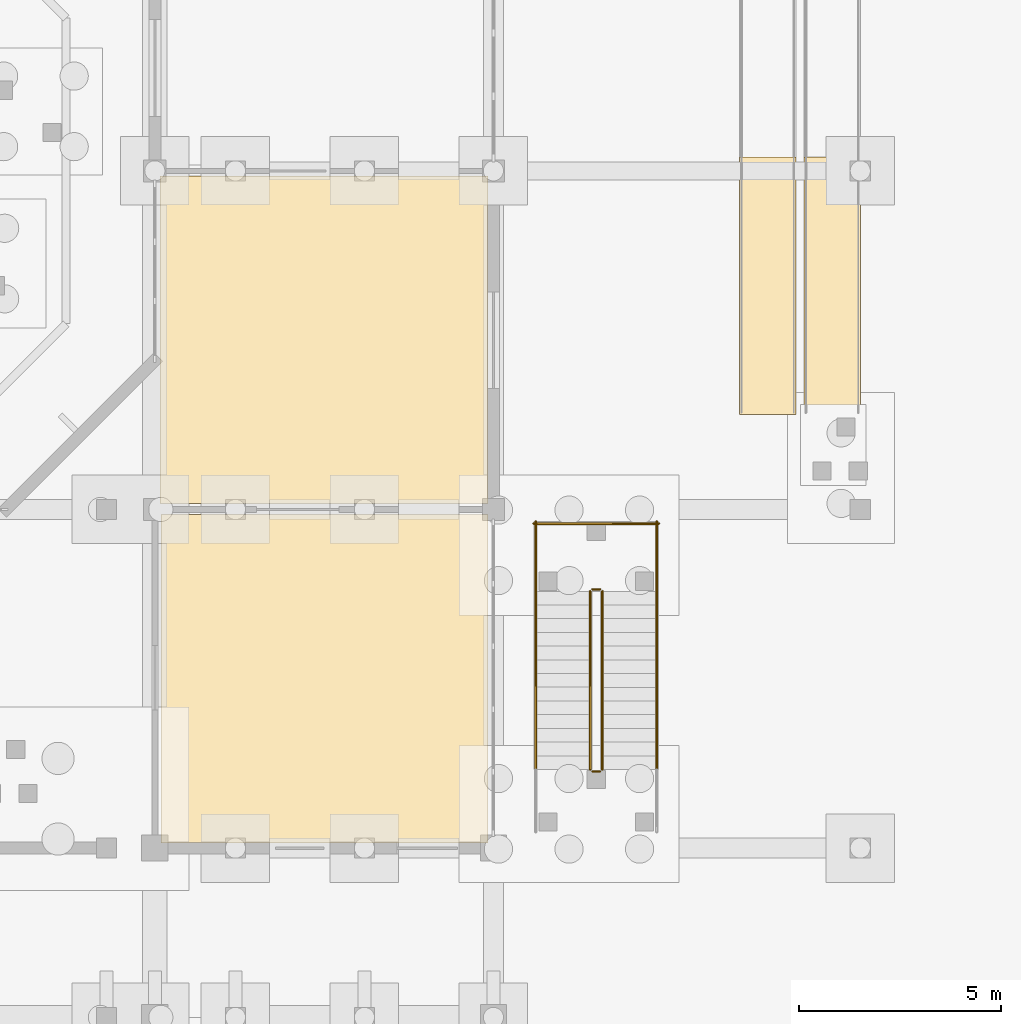
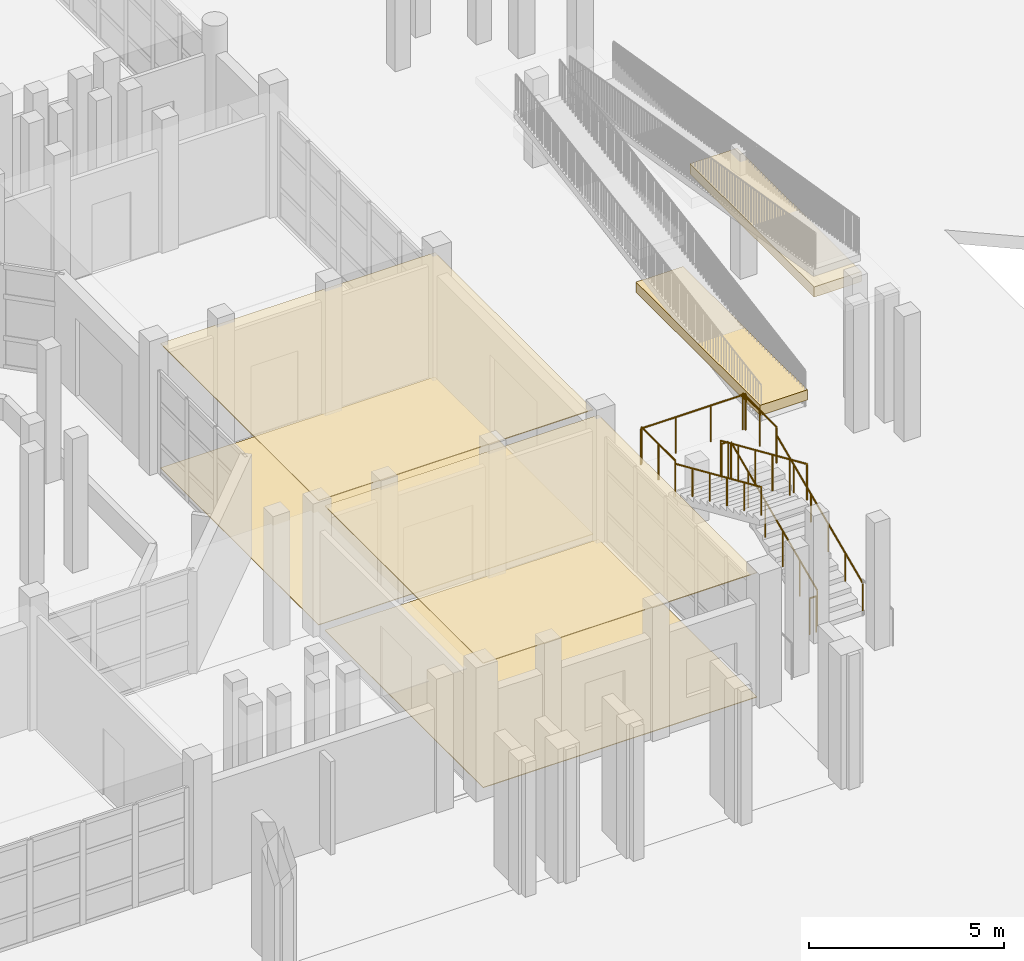
# One storey, part 74 of 88: 9 railings, 6 coverings.
"""IFC4 building model written with IfcOpenShell, lengths in metres."""

from ifc_helpers import new_model, si_unit, direction, frame, origin, origin_2d, place, context, subcontext, project, spatial, polyline, rectangle, circle, outline, extrude, material, layer, layer_set, type_object, element, save


model = new_model("IFC4")

# Units and contexts
model_context = context("Model", 3, precision=1e-05, world=origin(), true_north=direction((0.0, 1.0)))
body_context = subcontext(model_context, "Body", "Model", "MODEL_VIEW")
ifc_project = project(units=[si_unit("LENGTHUNIT", "METRE"), si_unit("AREAUNIT", "SQUARE_METRE"), si_unit("VOLUMEUNIT", "CUBIC_METRE"), si_unit("PLANEANGLEUNIT", "RADIAN"), si_unit("MASSUNIT", "GRAM", prefix="KILO")], contexts=[model_context])

# Site, building, storey
site_placement = place(None, origin())
site = spatial("IfcSite", under=ifc_project, at=site_placement, CompositionType="ELEMENT")
building_placement = place(site_placement, origin())
building = spatial("IfcBuilding", under=site, at=building_placement, Name="Vanh Quang Courtyard School", CompositionType="ELEMENT")
storey_placement = place(building_placement, origin())
storey = spatial("IfcBuildingStorey", under=building, at=storey_placement, Name="L00", CompositionType="ELEMENT", Elevation=0.0)

# Coverings
ifc_material_1 = material(Name="Perforated mineral-fibre acoustic ceiling board")
ifc_layer_1 = layer(ifc_material_1, 0.02490234375)
ifc_layer_set_1 = layer_set([ifc_layer_1], Name="Perforated mineral-fibre acoustic ceiling board")
covering_type_1 = type_object("IfcCoveringType", Name="COV-CEIL-ACOUSTIC", PredefinedType="CEILING", material=ifc_layer_set_1)
covering_1_placement = place(storey_placement, frame((0.0, 0.0, 3.89501953125)))
element("IfcCovering", 1, at=covering_1_placement, inside=storey, type_object=covering_type_1, Name="Covering CV-CL1 (L00)", PredefinedType="CEILING", context=body_context, shape_type="SweptSolid", body=[
    extrude(outline(polyline([(111.159912109375, 4.330078125), (111.158935546875, 4.330078125), (111.157958984375, 4.330078125), (111.156982421875, 4.330322265625), (111.15625, 4.330810546875), (111.1552734375, 4.331298828125), (111.154296875, 4.331787109375), (111.15380859375, 4.332275390625), (111.15283203125, 4.3330078125), (111.15234375, 4.333740234375), (111.151611328125, 4.33447265625), (111.151123046875, 4.335205078125), (111.15087890625, 4.336181640625), (111.150390625, 4.337158203125), (111.150146484375, 4.337890625), (111.14990234375, 4.339111328125), (111.14990234375, 4.340087890625), (111.14990234375, 12.4599609375), (111.14990234375, 12.4609375), (111.150146484375, 12.4619140625), (111.150390625, 12.462890625), (111.15087890625, 12.4638671875), (111.151123046875, 12.464599609375), (111.151611328125, 12.465576171875), (111.15234375, 12.46630859375), (111.15283203125, 12.467041015625), (111.15380859375, 12.4677734375), (111.154296875, 12.46826171875), (111.1552734375, 12.46875), (111.15625, 12.46923828125), (111.156982421875, 12.469482421875), (111.157958984375, 12.4697265625), (111.158935546875, 12.469970703125), (111.159912109375, 12.469970703125), (119.260009765625, 12.469970703125), (119.260986328125, 12.469970703125), (119.261962890625, 12.4697265625), (119.262939453125, 12.469482421875), (119.263916015625, 12.46923828125), (119.2646484375, 12.46875), (119.265625, 12.46826171875), (119.266357421875, 12.4677734375), (119.26708984375, 12.467041015625), (119.267578125, 12.46630859375), (119.268310546875, 12.465576171875), (119.268798828125, 12.464599609375), (119.269287109375, 12.4638671875), (119.26953125, 12.462890625), (119.269775390625, 12.4619140625), (119.27001953125, 12.4609375), (119.27001953125, 12.4599609375), (119.27001953125, 4.340087890625), (119.27001953125, 4.339111328125), (119.269775390625, 4.337890625), (119.26953125, 4.337158203125), (119.269287109375, 4.336181640625), (119.268798828125, 4.335205078125), (119.268310546875, 4.33447265625), (119.267578125, 4.333740234375), (119.26708984375, 4.3330078125), (119.266357421875, 4.332275390625), (119.265625, 4.331787109375), (119.2646484375, 4.331298828125), (119.263916015625, 4.330810546875), (119.262939453125, 4.330322265625), (119.261962890625, 4.330078125), (119.260986328125, 4.330078125), (119.260009765625, 4.330078125), (111.159912109375, 4.330078125)])), origin(), (0.0, 0.0, 1.0), 0.02490234375),
])
covering_2_placement = place(storey_placement, frame((0.0, 0.0, 3.89501953125)))
element("IfcCovering", 2, at=covering_2_placement, inside=storey, type_object=covering_type_1, Name="Covering CV-CL1 (L00)", PredefinedType="CEILING", context=body_context, shape_type="SweptSolid", body=[
    extrude(outline(polyline([(111.139892578125, 12.749267578125), (111.138916015625, 12.749267578125), (111.137939453125, 12.74951171875), (111.13720703125, 12.74951171875), (111.13623046875, 12.75), (111.13525390625, 12.75048828125), (111.134521484375, 12.7509765625), (111.1337890625, 12.75146484375), (111.1328125, 12.752197265625), (111.13232421875, 12.7529296875), (111.131591796875, 12.753662109375), (111.131103515625, 12.75439453125), (111.130859375, 12.75537109375), (111.13037109375, 12.75634765625), (111.130126953125, 12.757080078125), (111.1298828125, 12.75830078125), (111.1298828125, 12.75927734375), (111.1298828125, 20.860107421875), (111.1298828125, 20.861083984375), (111.130126953125, 20.862060546875), (111.13037109375, 20.86279296875), (111.130859375, 20.86376953125), (111.131103515625, 20.86474609375), (111.131591796875, 20.865478515625), (111.13232421875, 20.8662109375), (111.1328125, 20.8671875), (111.1337890625, 20.86767578125), (111.134521484375, 20.868408203125), (111.13525390625, 20.868896484375), (111.13623046875, 20.869140625), (111.13720703125, 20.86962890625), (111.137939453125, 20.869873046875), (111.138916015625, 20.8701171875), (111.139892578125, 20.8701171875), (119.260009765625, 20.8701171875), (119.260986328125, 20.8701171875), (119.261962890625, 20.869873046875), (119.262939453125, 20.86962890625), (119.263916015625, 20.869140625), (119.2646484375, 20.868896484375), (119.265625, 20.868408203125), (119.266357421875, 20.86767578125), (119.26708984375, 20.8671875), (119.267578125, 20.8662109375), (119.268310546875, 20.865478515625), (119.268798828125, 20.86474609375), (119.269287109375, 20.86376953125), (119.26953125, 20.86279296875), (119.269775390625, 20.862060546875), (119.27001953125, 20.861083984375), (119.27001953125, 20.860107421875), (119.27001953125, 12.760009765625), (119.27001953125, 12.759033203125), (119.269775390625, 12.758056640625), (119.26953125, 12.757080078125), (119.269287109375, 12.756103515625), (119.268798828125, 12.75537109375), (119.268310546875, 12.75439453125), (119.267578125, 12.753662109375), (119.26708984375, 12.7529296875), (119.266357421875, 12.752197265625), (119.265625, 12.751708984375), (119.2646484375, 12.751220703125), (119.263916015625, 12.750732421875), (119.262939453125, 12.75048828125), (119.261962890625, 12.750244140625), (119.260986328125, 12.75), (119.260009765625, 12.75), (111.139892578125, 12.749267578125)])), origin(), (0.0, 0.0, 1.0), 0.02490234375),
])
ifc_material_2 = material(Name="Polished cementitious terrazzo tile", Category="concrete")
ifc_layer_2 = layer(ifc_material_2, 0.02001953125)
ifc_layer_set_2 = layer_set([ifc_layer_2], Name="Polished cementitious terrazzo tile")
covering_type_2 = type_object("IfcCoveringType", Name="COV-FLR-TERRAZZO", PredefinedType="FLOORING", material=ifc_layer_set_2)
covering_3_placement = place(storey_placement, origin())
element("IfcCovering", 3, at=covering_3_placement, inside=storey, type_object=covering_type_2, Name="Covering CV-FL1 (L00)", PredefinedType="FLOORING", context=body_context, shape_type="SweptSolid", body=[
    extrude(outline(polyline([(111.159912109375, 4.330078125), (111.158935546875, 4.330078125), (111.157958984375, 4.330078125), (111.156982421875, 4.330322265625), (111.15625, 4.330810546875), (111.1552734375, 4.331298828125), (111.154296875, 4.331787109375), (111.15380859375, 4.332275390625), (111.15283203125, 4.3330078125), (111.15234375, 4.333740234375), (111.151611328125, 4.33447265625), (111.151123046875, 4.335205078125), (111.15087890625, 4.336181640625), (111.150390625, 4.337158203125), (111.150146484375, 4.337890625), (111.14990234375, 4.339111328125), (111.14990234375, 4.340087890625), (111.14990234375, 12.4599609375), (111.14990234375, 12.4609375), (111.150146484375, 12.4619140625), (111.150390625, 12.462890625), (111.15087890625, 12.4638671875), (111.151123046875, 12.464599609375), (111.151611328125, 12.465576171875), (111.15234375, 12.46630859375), (111.15283203125, 12.467041015625), (111.15380859375, 12.4677734375), (111.154296875, 12.46826171875), (111.1552734375, 12.46875), (111.15625, 12.46923828125), (111.156982421875, 12.469482421875), (111.157958984375, 12.4697265625), (111.158935546875, 12.469970703125), (111.159912109375, 12.469970703125), (119.260009765625, 12.469970703125), (119.260986328125, 12.469970703125), (119.261962890625, 12.4697265625), (119.262939453125, 12.469482421875), (119.263916015625, 12.46923828125), (119.2646484375, 12.46875), (119.265625, 12.46826171875), (119.266357421875, 12.4677734375), (119.26708984375, 12.467041015625), (119.267578125, 12.46630859375), (119.268310546875, 12.465576171875), (119.268798828125, 12.464599609375), (119.269287109375, 12.4638671875), (119.26953125, 12.462890625), (119.269775390625, 12.4619140625), (119.27001953125, 12.4609375), (119.27001953125, 12.4599609375), (119.27001953125, 4.340087890625), (119.27001953125, 4.339111328125), (119.269775390625, 4.337890625), (119.26953125, 4.337158203125), (119.269287109375, 4.336181640625), (119.268798828125, 4.335205078125), (119.268310546875, 4.33447265625), (119.267578125, 4.333740234375), (119.26708984375, 4.3330078125), (119.266357421875, 4.332275390625), (119.265625, 4.331787109375), (119.2646484375, 4.331298828125), (119.263916015625, 4.330810546875), (119.262939453125, 4.330322265625), (119.261962890625, 4.330078125), (119.260986328125, 4.330078125), (119.260009765625, 4.330078125), (111.159912109375, 4.330078125)])), origin(), (0.0, 0.0, 1.0), 0.02001953125),
])
covering_4_placement = place(storey_placement, origin())
element("IfcCovering", 4, at=covering_4_placement, inside=storey, type_object=covering_type_2, Name="Covering CV-FL1 (L00)", PredefinedType="FLOORING", context=body_context, shape_type="SweptSolid", body=[
    extrude(outline(polyline([(111.139892578125, 12.749267578125), (111.138916015625, 12.749267578125), (111.137939453125, 12.74951171875), (111.13720703125, 12.74951171875), (111.13623046875, 12.75), (111.13525390625, 12.75048828125), (111.134521484375, 12.7509765625), (111.1337890625, 12.75146484375), (111.1328125, 12.752197265625), (111.13232421875, 12.7529296875), (111.131591796875, 12.753662109375), (111.131103515625, 12.75439453125), (111.130859375, 12.75537109375), (111.13037109375, 12.75634765625), (111.130126953125, 12.757080078125), (111.1298828125, 12.75830078125), (111.1298828125, 12.75927734375), (111.1298828125, 20.860107421875), (111.1298828125, 20.861083984375), (111.130126953125, 20.862060546875), (111.13037109375, 20.86279296875), (111.130859375, 20.86376953125), (111.131103515625, 20.86474609375), (111.131591796875, 20.865478515625), (111.13232421875, 20.8662109375), (111.1328125, 20.8671875), (111.1337890625, 20.86767578125), (111.134521484375, 20.868408203125), (111.13525390625, 20.868896484375), (111.13623046875, 20.869140625), (111.13720703125, 20.86962890625), (111.137939453125, 20.869873046875), (111.138916015625, 20.8701171875), (111.139892578125, 20.8701171875), (119.260009765625, 20.8701171875), (119.260986328125, 20.8701171875), (119.261962890625, 20.869873046875), (119.262939453125, 20.86962890625), (119.263916015625, 20.869140625), (119.2646484375, 20.868896484375), (119.265625, 20.868408203125), (119.266357421875, 20.86767578125), (119.26708984375, 20.8671875), (119.267578125, 20.8662109375), (119.268310546875, 20.865478515625), (119.268798828125, 20.86474609375), (119.269287109375, 20.86376953125), (119.26953125, 20.86279296875), (119.269775390625, 20.862060546875), (119.27001953125, 20.861083984375), (119.27001953125, 20.860107421875), (119.27001953125, 12.760009765625), (119.27001953125, 12.759033203125), (119.269775390625, 12.758056640625), (119.26953125, 12.757080078125), (119.269287109375, 12.756103515625), (119.268798828125, 12.75537109375), (119.268310546875, 12.75439453125), (119.267578125, 12.753662109375), (119.26708984375, 12.7529296875), (119.266357421875, 12.752197265625), (119.265625, 12.751708984375), (119.2646484375, 12.751220703125), (119.263916015625, 12.750732421875), (119.262939453125, 12.75048828125), (119.261962890625, 12.750244140625), (119.260986328125, 12.75), (119.260009765625, 12.75), (111.139892578125, 12.749267578125)])), origin(), (0.0, 0.0, 1.0), 0.02001953125),
])
ifc_material_3 = material(Name="Board-marked precast concrete C40/50", Category="concrete")
ifc_layer_3 = layer(ifc_material_3, 0.239990234375)
ifc_layer_set_3 = layer_set([ifc_layer_3], Name="Board-marked precast concrete C40/50")
covering_type_3 = type_object("IfcCoveringType", Name="COV-HOOD-CONC", PredefinedType="CLADDING", material=ifc_layer_set_3)
for number, where, z_axis, x_axis, name in (
    (5, (126.199951171875, 18.14990234375, 0.205078125), (0.0, 0.0, 1.0), (1.0, 0.0, 0.0), "Covering CH-01 (L00)"),
    (6, (127.800048828125, 18.14990234375, 3.35498046875), (0.0, 0.0, 1.0), (1.0, 0.0, 0.0), "Covering CH-01 (L00)"),
):
    element("IfcCovering", number, at=place(storey_placement, frame(where, z_axis=z_axis, x_axis=x_axis)), inside=storey, type_object=covering_type_3, Name=name, PredefinedType="CLADDING", context=body_context, shape_type="SweptSolid", body=[
        extrude(rectangle(XDim=1.39990234375, YDim=6.3798828125, at=origin_2d()), origin(), (0.0, 0.0, 1.0), 0.320068359375),
    ])

# Railings
ifc_material_4 = material(Name="Galvanised painted steel EN 10025-2 S355J2", Category="steel")
railing_type_1 = type_object("IfcRailingType", Name="RAIL-GUARD-1150", PredefinedType="BALUSTRADE", material=ifc_material_4)
railing_1_placement = place(storey_placement, frame((122.10009765625, 6.14990234375, 0.14990234375)))
element("IfcRailing", 7, at=railing_1_placement, inside=storey, type_object=railing_type_1, Name="L00 ST-T1 stair guard 1", PredefinedType="BALUSTRADE", context=body_context, shape_type="SweptSolid", body=[
    extrude(circle(Radius=0.02392578125, at=origin_2d()), frame((0.0, 0.0, 1.1259765625), z_axis=(0.0, 0.914908470384, 0.40366135661), x_axis=(-1.0, 0.0, 0.0)), (0.0, 0.0, 1.0), 4.831298828125),
    extrude(circle(Radius=0.02099609375, at=origin_2d()), origin(), (0.0, 0.0, 1.0), 1.101806640625),
    extrude(circle(Radius=0.02099609375, at=origin_2d()), frame((0.0, 0.884033203125, 0.39013671875)), (0.0, 0.0, 1.0), 1.101806640625),
    extrude(circle(Radius=0.02099609375, at=origin_2d()), frame((0.0, 1.76806640625, 0.780029296875)), (0.0, 0.0, 1.0), 1.101806640625),
    extrude(circle(Radius=0.02099609375, at=origin_2d()), frame((0.0, 2.652099609375, 1.170166015625)), (0.0, 0.0, 1.0), 1.101806640625),
    extrude(circle(Radius=0.02099609375, at=origin_2d()), frame((0.0, 3.5361328125, 1.56005859375)), (0.0, 0.0, 1.0), 1.101806640625),
    extrude(circle(Radius=0.02099609375, at=origin_2d()), frame((0.0, 4.420166015625, 1.9501953125)), (0.0, 0.0, 1.0), 1.101806640625),
])
railing_2_placement = place(storey_placement, frame((122.050048828125, 10.6201171875, 2.10009765625)))
element("IfcRailing", 8, at=railing_2_placement, inside=storey, type_object=railing_type_1, Name="L00 ST-T1 stair guard 2", PredefinedType="BALUSTRADE", context=body_context, shape_type="SweptSolid", body=[
    extrude(circle(Radius=0.02392578125, at=origin_2d()), frame((0.0, 0.0, 1.1259765625), z_axis=(-1.0, 0.0, 0.0), x_axis=(0.0, -1.0, 0.0)), (0.0, 0.0, 1.0), 0.199951171875),
    extrude(circle(Radius=0.02099609375, at=origin_2d()), origin(), (0.0, 0.0, 1.0), 1.101806640625),
    extrude(circle(Radius=0.02099609375, at=origin_2d()), frame((-0.199951171875, 0.0, 0.0)), (0.0, 0.0, 1.0), 1.101806640625),
])
for number, where, name in (
    (9, (123.449951171875, 10.570068359375, 2.10009765625), "L00 ST-T1 stair guard 3"),
    (10, (120.449951171875, 10.570068359375, 2.10009765625), "L00 ST-T1 stair guard 4"),
):
    element("IfcRailing", number, at=place(storey_placement, frame(where)), inside=storey, type_object=railing_type_1, Name=name, PredefinedType="BALUSTRADE", context=body_context, shape_type="SweptSolid", body=[
        extrude(circle(Radius=0.02392578125, at=origin_2d()), frame((0.0, 0.0, 1.1259765625), z_axis=(0.0, 1.0, 0.0), x_axis=(-1.0, 0.0, 0.0)), (0.0, 0.0, 1.0), 1.72998046875),
        extrude(circle(Radius=0.02099609375, at=origin_2d()), origin(), (0.0, 0.0, 1.0), 1.101806640625),
        extrude(circle(Radius=0.02099609375, at=origin_2d()), frame((0.0, 0.864990234375, 0.0)), (0.0, 0.0, 1.0), 1.101806640625),
        extrude(circle(Radius=0.02099609375, at=origin_2d()), frame((0.0, 1.72998046875, 0.0)), (0.0, 0.0, 1.0), 1.101806640625),
    ])
railing_3_placement = place(storey_placement, frame((123.5, 12.25, 2.10009765625)))
element("IfcRailing", 11, at=railing_3_placement, inside=storey, type_object=railing_type_1, Name="L00 ST-T1 stair guard 5", PredefinedType="BALUSTRADE", context=body_context, shape_type="SweptSolid", body=[
    extrude(circle(Radius=0.02392578125, at=origin_2d()), frame((0.0, 0.0, 1.1259765625), z_axis=(-1.0, 0.0, 0.0), x_axis=(0.0, -1.0, 0.0)), (0.0, 0.0, 1.0), 3.10009765625),
    extrude(circle(Radius=0.02099609375, at=origin_2d()), origin(), (0.0, 0.0, 1.0), 1.101806640625),
    extrude(circle(Radius=0.02099609375, at=origin_2d()), frame((-1.033447265625, 0.0, 0.0)), (0.0, 0.0, 1.0), 1.101806640625),
    extrude(circle(Radius=0.02099609375, at=origin_2d()), frame((-2.066650390625, 0.0, 0.0)), (0.0, 0.0, 1.0), 1.101806640625),
    extrude(circle(Radius=0.02099609375, at=origin_2d()), frame((-3.10009765625, 0.0, 0.0)), (0.0, 0.0, 1.0), 1.101806640625),
])
railing_4_placement = place(storey_placement, frame((121.800048828125, 10.570068359375, 2.25)))
element("IfcRailing", 12, at=railing_4_placement, inside=storey, type_object=railing_type_1, Name="L00 ST-T1 stair guard 6", PredefinedType="BALUSTRADE", context=body_context, shape_type="SweptSolid", body=[
    extrude(circle(Radius=0.02392578125, at=origin_2d()), frame((0.0, 0.0, 1.1259765625), z_axis=(0.0, -0.914927132464, 0.403619055895), x_axis=(1.0, 0.0, 0.0)), (0.0, 0.0, 1.0), 4.8310546875),
    extrude(circle(Radius=0.02099609375, at=origin_2d()), origin(), (0.0, 0.0, 1.0), 1.101806640625),
    extrude(circle(Radius=0.02099609375, at=origin_2d()), frame((0.0, -0.884033203125, 0.389892578125)), (0.0, 0.0, 1.0), 1.101806640625),
    extrude(circle(Radius=0.02099609375, at=origin_2d()), frame((0.0, -1.76806640625, 0.780029296875)), (0.0, 0.0, 1.0), 1.101806640625),
    extrude(circle(Radius=0.02099609375, at=origin_2d()), frame((0.0, -2.652099609375, 1.169921875)), (0.0, 0.0, 1.0), 1.101806640625),
    extrude(circle(Radius=0.02099609375, at=origin_2d()), frame((0.0, -3.5361328125, 1.56005859375)), (0.0, 0.0, 1.0), 1.101806640625),
    extrude(circle(Radius=0.02099609375, at=origin_2d()), frame((0.0, -4.420166015625, 1.949951171875)), (0.0, 0.0, 1.0), 1.101806640625),
])
railing_5_placement = place(storey_placement, frame((122.050048828125, 6.10009765625, 0.0)))
element("IfcRailing", 13, at=railing_5_placement, inside=storey, type_object=railing_type_1, Name="L00 ST-T1 stair guard 7", PredefinedType="BALUSTRADE", context=body_context, shape_type="SweptSolid", body=[
    extrude(circle(Radius=0.02392578125, at=origin_2d()), frame((0.0, 0.0, 1.1259765625), z_axis=(-1.0, 0.0, 0.0), x_axis=(0.0, -1.0, 0.0)), (0.0, 0.0, 1.0), 0.199951171875),
    extrude(circle(Radius=0.02099609375, at=origin_2d()), origin(), (0.0, 0.0, 1.0), 1.101806640625),
    extrude(circle(Radius=0.02099609375, at=origin_2d()), frame((-0.199951171875, 0.0, 0.0)), (0.0, 0.0, 1.0), 1.101806640625),
])
ifc_material_5 = material(Name="Brushed stainless steel", Category="steel")
railing_type_2 = type_object("IfcRailingType", Name="RAIL-HAND-900", PredefinedType="HANDRAIL", material=ifc_material_5)
railing_6_placement = place(storey_placement, frame((123.449951171875, 6.14990234375, 0.14990234375)))
element("IfcRailing", 14, at=railing_6_placement, inside=storey, type_object=railing_type_2, Name="L00 ST-T1 stair handrail 1", PredefinedType="HANDRAIL", context=body_context, shape_type="SweptSolid", body=[
    extrude(circle(Radius=0.02392578125, at=origin_2d()), frame((0.0, 0.0, 0.8759765625), z_axis=(0.0, 0.914908470384, 0.40366135661), x_axis=(-1.0, 0.0, 0.0)), (0.0, 0.0, 1.0), 4.831298828125),
    extrude(circle(Radius=0.02099609375, at=origin_2d()), origin(), (0.0, 0.0, 1.0), 0.851806640625),
    extrude(circle(Radius=0.02099609375, at=origin_2d()), frame((0.0, 0.884033203125, 0.39013671875)), (0.0, 0.0, 1.0), 0.851806640625),
    extrude(circle(Radius=0.02099609375, at=origin_2d()), frame((0.0, 1.76806640625, 0.780029296875)), (0.0, 0.0, 1.0), 0.851806640625),
    extrude(circle(Radius=0.02099609375, at=origin_2d()), frame((0.0, 2.652099609375, 1.170166015625)), (0.0, 0.0, 1.0), 0.851806640625),
    extrude(circle(Radius=0.02099609375, at=origin_2d()), frame((0.0, 3.5361328125, 1.56005859375)), (0.0, 0.0, 1.0), 0.851806640625),
    extrude(circle(Radius=0.02099609375, at=origin_2d()), frame((0.0, 4.420166015625, 1.9501953125)), (0.0, 0.0, 1.0), 0.851806640625),
])
railing_7_placement = place(storey_placement, frame((120.449951171875, 10.570068359375, 2.25)))
element("IfcRailing", 15, at=railing_7_placement, inside=storey, type_object=railing_type_2, Name="L00 ST-T1 stair handrail 2", PredefinedType="HANDRAIL", context=body_context, shape_type="SweptSolid", body=[
    extrude(circle(Radius=0.02392578125, at=origin_2d()), frame((0.0, 0.0, 0.8759765625), z_axis=(0.0, -0.914927132464, 0.403619055895), x_axis=(1.0, 0.0, 0.0)), (0.0, 0.0, 1.0), 4.8310546875),
    extrude(circle(Radius=0.02099609375, at=origin_2d()), origin(), (0.0, 0.0, 1.0), 0.851806640625),
    extrude(circle(Radius=0.02099609375, at=origin_2d()), frame((0.0, -0.884033203125, 0.389892578125)), (0.0, 0.0, 1.0), 0.851806640625),
    extrude(circle(Radius=0.02099609375, at=origin_2d()), frame((0.0, -1.76806640625, 0.780029296875)), (0.0, 0.0, 1.0), 0.851806640625),
    extrude(circle(Radius=0.02099609375, at=origin_2d()), frame((0.0, -2.652099609375, 1.169921875)), (0.0, 0.0, 1.0), 0.851806640625),
    extrude(circle(Radius=0.02099609375, at=origin_2d()), frame((0.0, -3.5361328125, 1.56005859375)), (0.0, 0.0, 1.0), 0.851806640625),
    extrude(circle(Radius=0.02099609375, at=origin_2d()), frame((0.0, -4.420166015625, 1.949951171875)), (0.0, 0.0, 1.0), 0.851806640625),
])

save(model, "model.ifc")
